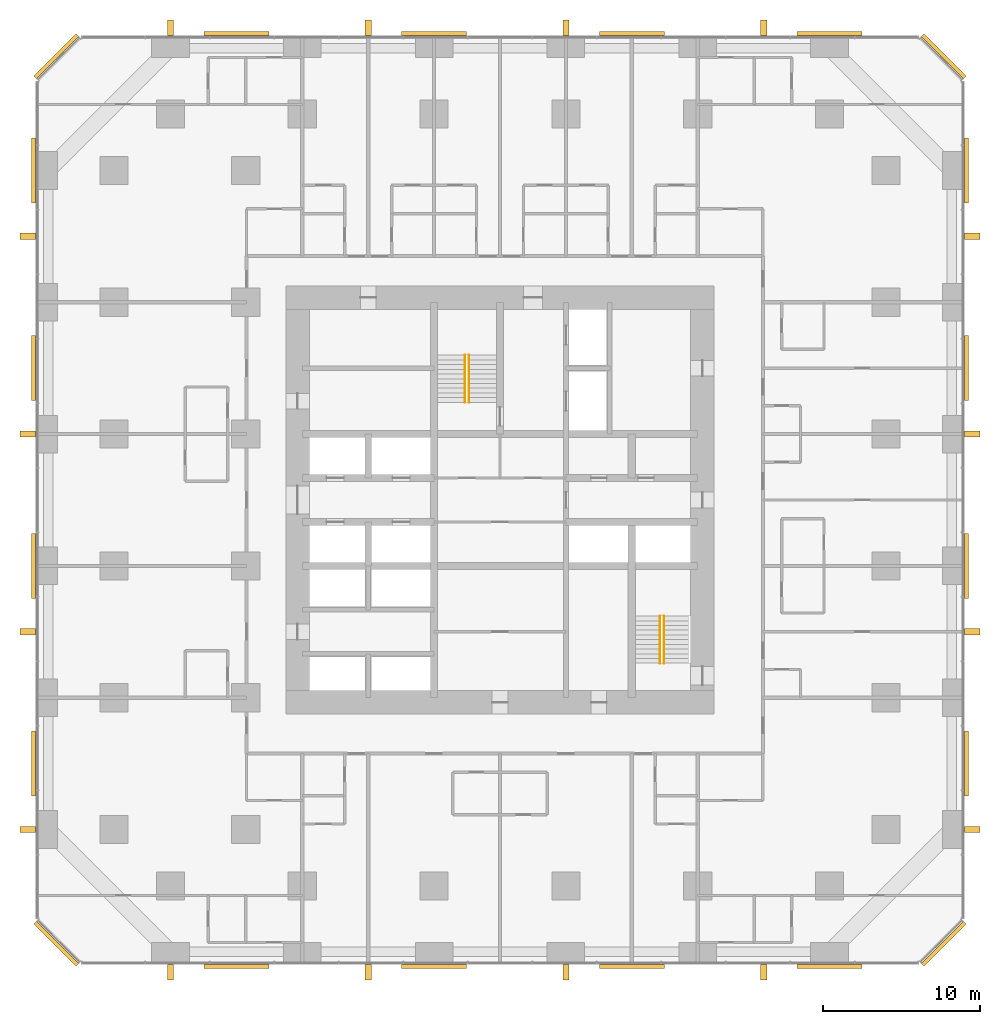
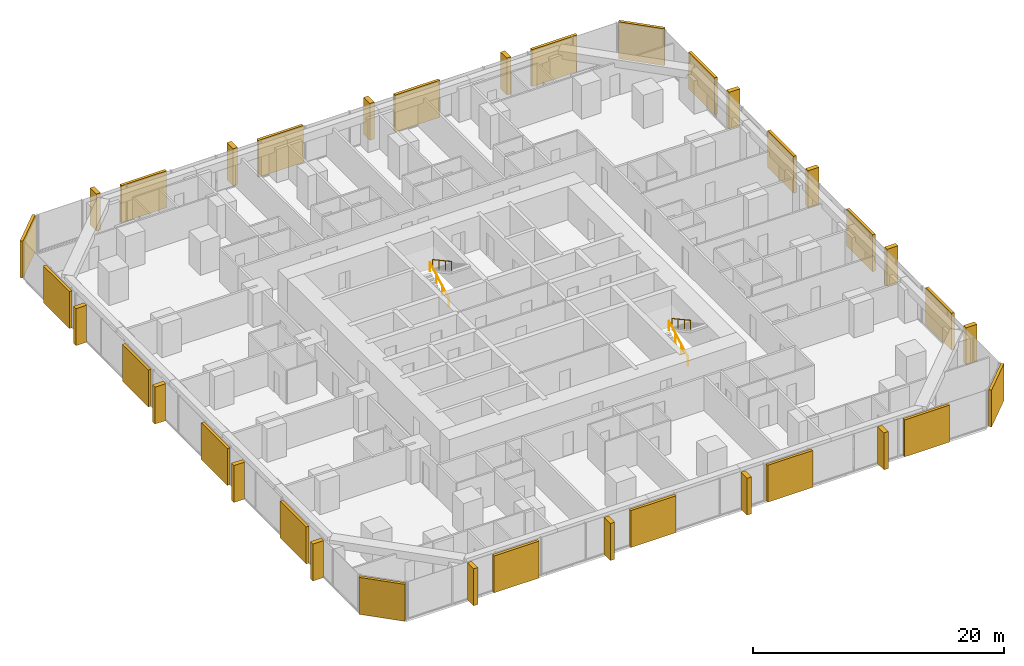
# One storey, part 17 of 17: 20 coverings, 16 shading devices, 4 railings.
"""IFC4 building model written with IfcOpenShell, lengths in metres."""

from ifc_helpers import new_model, si_unit, direction, frame, origin, origin_2d, place, context, subcontext, project, spatial, rectangle, circle, extrude, material, layer, layer_set, type_object, element, save


model = new_model("IFC4")

# Units and contexts
model_context = context("Model", 3, precision=1e-05, world=origin(), true_north=direction((0.0, 1.0)))
body_context = subcontext(model_context, "Body", "Model", "MODEL_VIEW")
ifc_project = project(units=[si_unit("LENGTHUNIT", "METRE"), si_unit("AREAUNIT", "SQUARE_METRE"), si_unit("VOLUMEUNIT", "CUBIC_METRE"), si_unit("PLANEANGLEUNIT", "RADIAN"), si_unit("MASSUNIT", "GRAM", prefix="KILO")], contexts=[model_context])

# Site, building, storey
site_placement = place(None, origin())
site = spatial("IfcSite", under=ifc_project, at=site_placement, CompositionType="ELEMENT")
building_placement = place(site_placement, origin())
building = spatial("IfcBuilding", under=site, at=building_placement, Name="Dunama Terrace Hotel", CompositionType="ELEMENT")
storey_placement = place(building_placement, frame((0.0, 0.0, 63.0)))
storey = spatial("IfcBuildingStorey", under=building, at=storey_placement, Name="L15", CompositionType="ELEMENT", Elevation=63.0)

# Railings
ifc_material_1 = material(Name="Stainless steel handrail", Category="steel")
railing_type = type_object("IfcRailingType", Name="Stair handrail 900", PredefinedType="HANDRAIL", material=ifc_material_1)
railing_1_placement = place(storey_placement, frame((27.175048828125, 35.625, 0.16357421875)))
element("IfcRailing", 1, at=railing_1_placement, inside=storey, type_object=railing_type, Name="Handrail ST1 L15", PredefinedType="HANDRAIL", context=body_context, shape_type="SweptSolid", body=[
    extrude(circle(Radius=0.02392578125, at=origin_2d()), frame((0.0, 0.0, 0.8759765625), z_axis=(0.0, 0.877881921179, 0.478877158013), x_axis=(-1.0, 0.0, 0.0)), (0.0, 0.0, 1.0), 3.417236328125),
    extrude(circle(Radius=0.02099609375, at=origin_2d()), origin(), (0.0, 0.0, 1.0), 0.851806640625),
    extrude(circle(Radius=0.02099609375, at=origin_2d()), frame((0.0, 1.0, 0.54541015625)), (0.0, 0.0, 1.0), 0.851806640625),
    extrude(circle(Radius=0.02099609375, at=origin_2d()), frame((0.0, 2.0, 1.091064453125)), (0.0, 0.0, 1.0), 0.851806640625),
    extrude(circle(Radius=0.02099609375, at=origin_2d()), frame((0.0, 3.0, 1.636474609375)), (0.0, 0.0, 1.0), 0.851806640625),
])
railing_2_placement = place(storey_placement, frame((27.425048828125, 38.625, 1.963623046875)))
element("IfcRailing", 2, at=railing_2_placement, inside=storey, type_object=railing_type, Name="Handrail ST1 L15", PredefinedType="HANDRAIL", context=body_context, shape_type="SweptSolid", body=[
    extrude(circle(Radius=0.02392578125, at=origin_2d()), frame((0.0, 0.0, 0.8759765625), z_axis=(0.0, -0.877881921179, 0.478877158013), x_axis=(1.0, 0.0, 0.0)), (0.0, 0.0, 1.0), 3.417236328125),
    extrude(circle(Radius=0.02099609375, at=origin_2d()), origin(), (0.0, 0.0, 1.0), 0.851806640625),
    extrude(circle(Radius=0.02099609375, at=origin_2d()), frame((0.0, -1.0, 0.54541015625)), (0.0, 0.0, 1.0), 0.851806640625),
    extrude(circle(Radius=0.02099609375, at=origin_2d()), frame((0.0, -2.0, 1.091064453125)), (0.0, 0.0, 1.0), 0.851806640625),
    extrude(circle(Radius=0.02099609375, at=origin_2d()), frame((0.0, -3.0, 1.636474609375)), (0.0, 0.0, 1.0), 0.851806640625),
])
railing_3_placement = place(storey_placement, frame((39.60009765625, 19.0, 0.16357421875)))
element("IfcRailing", 3, at=railing_3_placement, inside=storey, type_object=railing_type, Name="Handrail ST2 L15", PredefinedType="HANDRAIL", context=body_context, shape_type="SweptSolid", body=[
    extrude(circle(Radius=0.02392578125, at=origin_2d()), frame((0.0, 0.0, 0.8759765625), z_axis=(0.0, 0.877881921179, 0.478877158013), x_axis=(-1.0, 0.0, 0.0)), (0.0, 0.0, 1.0), 3.417236328125),
    extrude(circle(Radius=0.02099609375, at=origin_2d()), origin(), (0.0, 0.0, 1.0), 0.851806640625),
    extrude(circle(Radius=0.02099609375, at=origin_2d()), frame((0.0, 1.0, 0.54541015625)), (0.0, 0.0, 1.0), 0.851806640625),
    extrude(circle(Radius=0.02099609375, at=origin_2d()), frame((0.0, 2.0, 1.091064453125)), (0.0, 0.0, 1.0), 0.851806640625),
    extrude(circle(Radius=0.02099609375, at=origin_2d()), frame((0.0, 3.0, 1.636474609375)), (0.0, 0.0, 1.0), 0.851806640625),
])
railing_4_placement = place(storey_placement, frame((39.85009765625, 22.0, 1.963623046875)))
element("IfcRailing", 4, at=railing_4_placement, inside=storey, type_object=railing_type, Name="Handrail ST2 L15", PredefinedType="HANDRAIL", context=body_context, shape_type="SweptSolid", body=[
    extrude(circle(Radius=0.02392578125, at=origin_2d()), frame((0.0, 0.0, 0.8759765625), z_axis=(0.0, -0.877881921179, 0.478877158013), x_axis=(1.0, 0.0, 0.0)), (0.0, 0.0, 1.0), 3.417236328125),
    extrude(circle(Radius=0.02099609375, at=origin_2d()), origin(), (0.0, 0.0, 1.0), 0.851806640625),
    extrude(circle(Radius=0.02099609375, at=origin_2d()), frame((0.0, -1.0, 0.54541015625)), (0.0, 0.0, 1.0), 0.851806640625),
    extrude(circle(Radius=0.02099609375, at=origin_2d()), frame((0.0, -2.0, 1.091064453125)), (0.0, 0.0, 1.0), 0.851806640625),
    extrude(circle(Radius=0.02099609375, at=origin_2d()), frame((0.0, -3.0, 1.636474609375)), (0.0, 0.0, 1.0), 0.851806640625),
])

# Coverings
ifc_material_2 = material(Name="Warm reconstituted stone panel", Category="masonry")
ifc_layer_1 = layer(ifc_material_2, 0.25)
ifc_layer_set_1 = layer_set([ifc_layer_1], Name="Stone diagonal panel")
covering_type = type_object("IfcCoveringType", Name="Stone diagonal panel", PredefinedType="CLADDING", material=ifc_layer_set_1)
for number, where, z_axis, x_axis, name in (
    (5, (12.60009765625, -0.322998046875, 0.001953125), (0.0, 0.0, 1.0), (1.0, 0.0, 0.0), "Stone diagonal panel L15"),
    (6, (25.199951171875, -0.322998046875, 0.001953125), (0.0, 0.0, 1.0), (1.0, 0.0, 0.0), "Stone diagonal panel L15"),
    (7, (37.800048828125, -0.322998046875, 0.001953125), (0.0, 0.0, 1.0), (1.0, 0.0, 0.0), "Stone diagonal panel L15"),
    (8, (50.39990234375, -0.322998046875, 0.001953125), (0.0, 0.0, 1.0), (1.0, 0.0, 0.0), "Stone diagonal panel L15"),
):
    element("IfcCovering", number, at=place(storey_placement, frame(where, z_axis=z_axis, x_axis=x_axis)), inside=storey, type_object=covering_type, Name=name, PredefinedType="CLADDING", context=body_context, shape_type="SweptSolid", body=[
        extrude(rectangle(XDim=4.14990234375, YDim=0.25, at=origin_2d()), origin(), (0.0, 0.0, 1.0), 3.595947265625),
    ])
covering_1_placement = place(storey_placement, frame((57.678955078125, 1.12109375, 0.001953125), z_axis=(0.0, 0.0, 1.0), x_axis=(0.707106781187, 0.707106781187, 0.0)))
element("IfcCovering", 9, at=covering_1_placement, inside=storey, type_object=covering_type, Name="Stone diagonal panel L15", PredefinedType="CLADDING", context=body_context, shape_type="SweptSolid", body=[
    extrude(rectangle(XDim=3.808349609375, YDim=0.25, at=origin_2d()), origin(), (0.0, 0.0, 1.0), 3.595947265625),
])
for number, where, z_axis, x_axis, name in (
    (10, (59.123046875, 12.60009765625, 0.001953125), (0.0, 0.0, 1.0), (0.0, 1.0, 0.0), "Stone diagonal panel L15"),
    (11, (59.123046875, 25.199951171875, 0.001953125), (0.0, 0.0, 1.0), (0.0, 1.0, 0.0), "Stone diagonal panel L15"),
    (12, (59.123046875, 37.800048828125, 0.001953125), (0.0, 0.0, 1.0), (0.0, 1.0, 0.0), "Stone diagonal panel L15"),
    (13, (59.123046875, 50.39990234375, 0.001953125), (0.0, 0.0, 1.0), (0.0, 1.0, 0.0), "Stone diagonal panel L15"),
):
    element("IfcCovering", number, at=place(storey_placement, frame(where, z_axis=z_axis, x_axis=x_axis)), inside=storey, type_object=covering_type, Name=name, PredefinedType="CLADDING", context=body_context, shape_type="SweptSolid", body=[
        extrude(rectangle(XDim=4.14990234375, YDim=0.25, at=origin_2d()), origin(), (0.0, 0.0, 1.0), 3.595947265625),
    ])
covering_2_placement = place(storey_placement, frame((57.678955078125, 57.678955078125, 0.001953125), z_axis=(0.0, 0.0, 1.0), x_axis=(-0.707106781187, 0.707106781187, 0.0)))
element("IfcCovering", 14, at=covering_2_placement, inside=storey, type_object=covering_type, Name="Stone diagonal panel L15", PredefinedType="CLADDING", context=body_context, shape_type="SweptSolid", body=[
    extrude(rectangle(XDim=3.808349609375, YDim=0.25, at=origin_2d()), origin(), (0.0, 0.0, 1.0), 3.595947265625),
])
for number, where, z_axis, x_axis, name in (
    (15, (50.39990234375, 59.123046875, 0.001953125), (0.0, 0.0, 1.0), (-1.0, 0.0, 0.0), "Stone diagonal panel L15"),
    (16, (37.800048828125, 59.123046875, 0.001953125), (0.0, 0.0, 1.0), (-1.0, 0.0, 0.0), "Stone diagonal panel L15"),
    (17, (25.199951171875, 59.123046875, 0.001953125), (0.0, 0.0, 1.0), (-1.0, 0.0, 0.0), "Stone diagonal panel L15"),
    (18, (12.60009765625, 59.123046875, 0.001953125), (0.0, 0.0, 1.0), (-1.0, 0.0, 0.0), "Stone diagonal panel L15"),
):
    element("IfcCovering", number, at=place(storey_placement, frame(where, z_axis=z_axis, x_axis=x_axis)), inside=storey, type_object=covering_type, Name=name, PredefinedType="CLADDING", context=body_context, shape_type="SweptSolid", body=[
        extrude(rectangle(XDim=4.14990234375, YDim=0.25, at=origin_2d()), origin(), (0.0, 0.0, 1.0), 3.595947265625),
    ])
covering_3_placement = place(storey_placement, frame((1.12109375, 57.678955078125, 0.001953125), z_axis=(0.0, 0.0, 1.0), x_axis=(-0.707106781187, -0.707106781187, 0.0)))
element("IfcCovering", 19, at=covering_3_placement, inside=storey, type_object=covering_type, Name="Stone diagonal panel L15", PredefinedType="CLADDING", context=body_context, shape_type="SweptSolid", body=[
    extrude(rectangle(XDim=3.808349609375, YDim=0.25, at=origin_2d()), origin(), (0.0, 0.0, 1.0), 3.595947265625),
])
for number, where, z_axis, x_axis, name in (
    (20, (-0.322998046875, 50.39990234375, 0.001953125), (0.0, 0.0, 1.0), (0.0, -1.0, 0.0), "Stone diagonal panel L15"),
    (21, (-0.322998046875, 37.800048828125, 0.001953125), (0.0, 0.0, 1.0), (0.0, -1.0, 0.0), "Stone diagonal panel L15"),
    (22, (-0.322998046875, 25.199951171875, 0.001953125), (0.0, 0.0, 1.0), (0.0, -1.0, 0.0), "Stone diagonal panel L15"),
    (23, (-0.322998046875, 12.60009765625, 0.001953125), (0.0, 0.0, 1.0), (0.0, -1.0, 0.0), "Stone diagonal panel L15"),
):
    element("IfcCovering", number, at=place(storey_placement, frame(where, z_axis=z_axis, x_axis=x_axis)), inside=storey, type_object=covering_type, Name=name, PredefinedType="CLADDING", context=body_context, shape_type="SweptSolid", body=[
        extrude(rectangle(XDim=4.14990234375, YDim=0.25, at=origin_2d()), origin(), (0.0, 0.0, 1.0), 3.595947265625),
    ])
covering_4_placement = place(storey_placement, frame((1.12109375, 1.12109375, 0.001953125), z_axis=(0.0, 0.0, 1.0), x_axis=(0.707106781187, -0.707106781187, 0.0)))
element("IfcCovering", 24, at=covering_4_placement, inside=storey, type_object=covering_type, Name="Stone diagonal panel L15", PredefinedType="CLADDING", context=body_context, shape_type="SweptSolid", body=[
    extrude(rectangle(XDim=3.808349609375, YDim=0.25, at=origin_2d()), origin(), (0.0, 0.0, 1.0), 3.595947265625),
])

# Shading devices
ifc_material_3 = material(Name="Warm reconstituted stone fin", Category="masonry")
ifc_layer_2 = layer(ifc_material_3, 0.39990234375)
ifc_layer_set_2 = layer_set([ifc_layer_2], Name="Warm stone fin 400x1000")
shading_device_type = type_object("IfcShadingDeviceType", Name="Warm stone fin 400x1000", PredefinedType="USERDEFINED", material=ifc_layer_set_2)
for number, where, z_axis, x_axis, name in (
    (25, (8.39990234375, -0.68798828125, 0.0), (0.0, 0.0, 1.0), (1.0, 0.0, 0.0), "Stone fin"),
    (26, (21.0, -0.68798828125, 0.0), (0.0, 0.0, 1.0), (1.0, 0.0, 0.0), "Stone fin"),
    (27, (33.60009765625, -0.68798828125, 0.0), (0.0, 0.0, 1.0), (1.0, 0.0, 0.0), "Stone fin"),
    (28, (46.199951171875, -0.68798828125, 0.0), (0.0, 0.0, 1.0), (1.0, 0.0, 0.0), "Stone fin"),
    (29, (59.488037109375, 8.39990234375, 0.0), (0.0, 0.0, 1.0), (0.0, 1.0, 0.0), "Stone fin"),
    (30, (59.488037109375, 21.0, 0.0), (0.0, 0.0, 1.0), (0.0, 1.0, 0.0), "Stone fin"),
    (31, (59.488037109375, 33.60009765625, 0.0), (0.0, 0.0, 1.0), (0.0, 1.0, 0.0), "Stone fin"),
    (32, (59.488037109375, 46.199951171875, 0.0), (0.0, 0.0, 1.0), (0.0, 1.0, 0.0), "Stone fin"),
    (33, (46.199951171875, 59.488037109375, 0.0), (0.0, 0.0, 1.0), (-1.0, 0.0, 0.0), "Stone fin"),
    (34, (33.60009765625, 59.488037109375, 0.0), (0.0, 0.0, 1.0), (-1.0, 0.0, 0.0), "Stone fin"),
    (35, (21.0, 59.488037109375, 0.0), (0.0, 0.0, 1.0), (-1.0, 0.0, 0.0), "Stone fin"),
    (36, (8.39990234375, 59.488037109375, 0.0), (0.0, 0.0, 1.0), (-1.0, 0.0, 0.0), "Stone fin"),
    (37, (-0.68798828125, 46.199951171875, 0.0), (0.0, 0.0, 1.0), (0.0, -1.0, 0.0), "Stone fin"),
    (38, (-0.68798828125, 33.60009765625, 0.0), (0.0, 0.0, 1.0), (0.0, -1.0, 0.0), "Stone fin"),
    (39, (-0.68798828125, 21.0, 0.0), (0.0, 0.0, 1.0), (0.0, -1.0, 0.0), "Stone fin"),
    (40, (-0.68798828125, 8.39990234375, 0.0), (0.0, 0.0, 1.0), (0.0, -1.0, 0.0), "Stone fin"),
):
    element("IfcShadingDevice", number, at=place(storey_placement, frame(where, z_axis=z_axis, x_axis=x_axis)), inside=storey, type_object=shading_device_type, Name=name, ObjectType="FIN", PredefinedType="USERDEFINED", context=body_context, shape_type="SweptSolid", body=[
        extrude(rectangle(XDim=0.39990234375, YDim=1.0, at=origin_2d()), origin(), (0.0, 0.0, 1.0), 3.60009765625),
    ])

save(model, "model.ifc")
